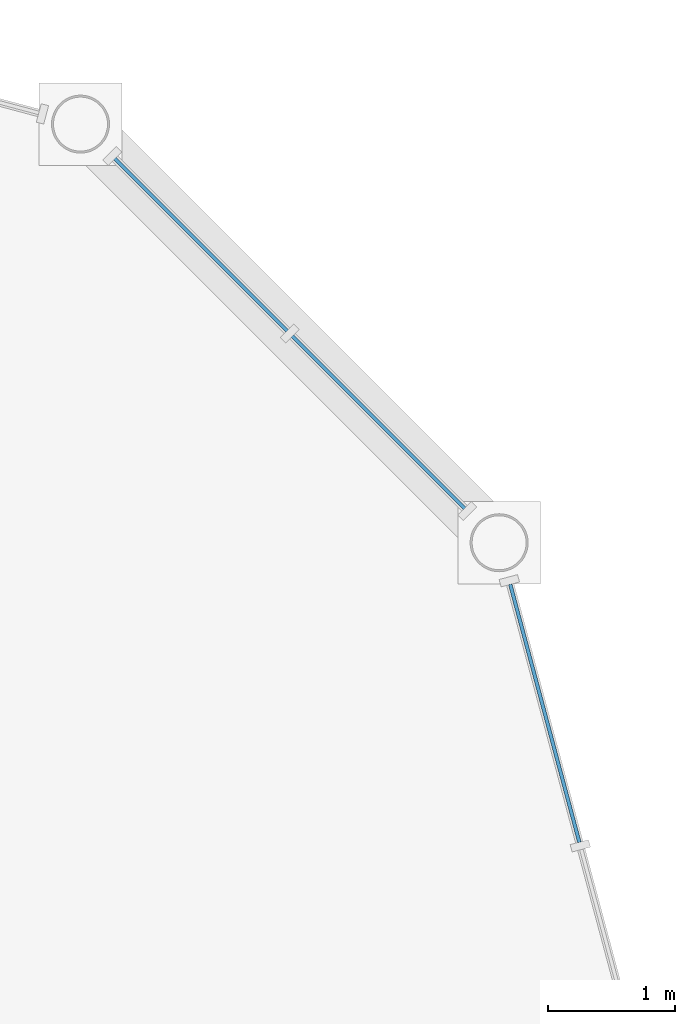
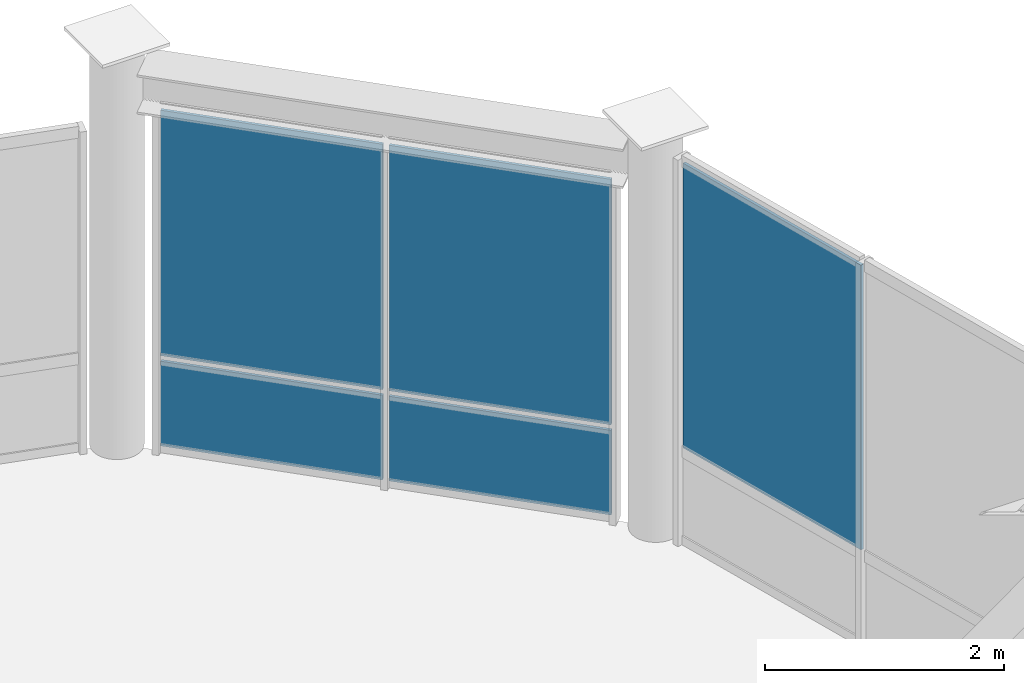
# One storey, part 67 of 105: 5 plates, 2 elements without a shape of their own.
"""IFC4 building model written with IfcOpenShell, lengths in metres."""

import ifcopenshell
import ifcopenshell.guid

model = None  # the IFC model being written
_history = None  # IfcOwnerHistory: only IFC2X3 demands one
_inside = {}  # id of a spatial element -> (the spatial element, [elements in it])
_under = {}  # id of a project, library or spatial element -> (it, [spatial elements below it])
_declared = {}  # id of a project -> (the project, [libraries it declares])
_typed = {}  # id of a type object -> (the type object, [elements of that type])
_made_of = {}  # id of a material, layer set ... -> (it, [elements and type objects made of it])


def new_model(schema):
    """Start an empty IFC model of exactly this schema.

    Asked for "IFC4X3", IfcOpenShell would pick the latest addendum, in which some entities
    have other attributes; the version numbers below select the first issue.
    IFC2X3 requires an IfcOwnerHistory on every rooted entity: one is made here for all.
    """
    global model, _history
    if schema == "IFC4X3":
        model = ifcopenshell.file(schema_version=(4, 3, 0, 0))
    else:
        model = ifcopenshell.file(schema=schema)
    _inside.clear()
    _under.clear()
    _declared.clear()
    _typed.clear()
    _made_of.clear()
    _history = None
    if model.schema == "IFC2X3":
        org = make("IfcOrganization", Name="unknown")
        user = make(
            "IfcPersonAndOrganization",
            ThePerson=make("IfcPerson", FamilyName="unknown"),
            TheOrganization=org,
        )
        app = make(
            "IfcApplication",
            ApplicationDeveloper=org,
            Version="unknown",
            ApplicationFullName="unknown",
            ApplicationIdentifier="unknown",
        )
        _history = make(
            "IfcOwnerHistory",
            OwningUser=user,
            OwningApplication=app,
            ChangeAction="ADDED",
            CreationDate=0,
        )
    return model


def make(cls, **values):
    """One entity of the class cls with the attributes given. An attribute that is None is left unset."""
    return model.create_entity(
        cls, **{name: value for name, value in values.items() if value is not None}
    )


def rooted(cls, **values):
    """An entity with a GlobalId (a new one), such as an element, a storey or a relation."""
    return make(cls, GlobalId=ifcopenshell.guid.new(), OwnerHistory=_history, **values)


def si_unit(unit_type, name, prefix=None):
    """IfcSIUnit, for example si_unit("LENGTHUNIT", "METRE", prefix="MILLI")."""
    return make("IfcSIUnit", UnitType=unit_type, Prefix=prefix, Name=name)


def assignment(units):
    """IfcUnitAssignment: the units of a project."""
    return None if units is None else make("IfcUnitAssignment", Units=units)


def point(xyz):
    """IfcCartesianPoint."""
    return None if xyz is None else make("IfcCartesianPoint", Coordinates=xyz)


def direction(xyz):
    """IfcDirection."""
    return None if xyz is None else make("IfcDirection", DirectionRatios=xyz)


def frame(location, z_axis=None, x_axis=None):
    """IfcAxis2Placement3D, a coordinate frame: its origin and axes. An axis left out is left unset."""
    return make(
        "IfcAxis2Placement3D",
        Location=point(location),
        Axis=direction(z_axis),
        RefDirection=direction(x_axis),
    )


def frame_2d(location, x_axis=None):
    """IfcAxis2Placement2D, a coordinate frame in the plane: its origin and x axis."""
    return make(
        "IfcAxis2Placement2D", Location=point(location), RefDirection=direction(x_axis)
    )


def origin():
    """The frame at (0, 0, 0) with its axes left unset."""
    return frame((0.0, 0.0, 0.0))


def origin_2d():
    """The frame at (0, 0) in the plane with its x axis left unset."""
    return frame_2d((0.0, 0.0))


def place(relative_to, where):
    """IfcLocalPlacement: puts the frame where relative to a parent placement (None: the world)."""
    return make(
        "IfcLocalPlacement", PlacementRelTo=relative_to, RelativePlacement=where
    )


def context(
    kind, dimensions, precision=None, world=None, true_north=None, identifier=None
):
    """IfcGeometricRepresentationContext, for example the 3D "Model" context."""
    return make(
        "IfcGeometricRepresentationContext",
        ContextIdentifier=identifier,
        ContextType=kind,
        CoordinateSpaceDimension=dimensions,
        Precision=precision,
        WorldCoordinateSystem=world,
        TrueNorth=true_north,
    )


def subcontext(parent, identifier, kind, view, scale=None):
    """IfcGeometricRepresentationSubContext, for example "Body" below "Model"."""
    return make(
        "IfcGeometricRepresentationSubContext",
        ContextIdentifier=identifier,
        ContextType=kind,
        ParentContext=parent,
        TargetScale=scale,
        TargetView=view,
    )


def project(units=None, contexts=None):
    """IfcProject with its units and contexts."""
    return rooted(
        "IfcProject",
        Name="project",
        RepresentationContexts=contexts,
        UnitsInContext=assignment(units),
    )


def spatial(cls, under=None, at=None, **own):
    """A site, building, storey or space (cls), placed at a placement, below another one or the project."""
    s = rooted(cls, ObjectPlacement=at, **own)
    if under is not None:
        _under.setdefault(under.id(), (under, []))[1].append(s)
    return s


def profile(cls, at=None, kind="AREA", **sizes):
    """A parametric profile (cls). Its sizes go by their IFC names, for example OverallWidth=200.0."""
    return make(cls, ProfileType=kind, Position=at, **sizes)


def rectangle(**sizes):
    """IfcRectangleProfileDef."""
    return profile("IfcRectangleProfileDef", **sizes)


def extrude(swept, where, along, depth):
    """IfcExtrudedAreaSolid: the profile swept, set in the frame where, extruded along a direction by depth."""
    return make(
        "IfcExtrudedAreaSolid",
        SweptArea=swept,
        Position=where,
        ExtrudedDirection=direction(along),
        Depth=depth,
    )


def shape(context_of_items, identifier, shape_type, items):
    """IfcShapeRepresentation: the items that make up one representation, for example the "Body"."""
    return make(
        "IfcShapeRepresentation",
        ContextOfItems=context_of_items,
        RepresentationIdentifier=identifier,
        RepresentationType=shape_type,
        Items=items,
    )


def material(Name=None, Category=None):
    """IfcMaterial."""
    return make("IfcMaterial", Name=Name, Category=Category)


def layer(
    of_material, thickness, ventilated=None, Name=None, Category=None, Priority=None
):
    """IfcMaterialLayer: one layer of a wall or slab, of a material (None: an air gap)."""
    return make(
        "IfcMaterialLayer",
        Material=of_material,
        LayerThickness=thickness,
        IsVentilated=ventilated,
        Name=Name,
        Category=Category,
        Priority=Priority,
    )


def layer_set(layers, Name=None):
    """IfcMaterialLayerSet."""
    return make("IfcMaterialLayerSet", MaterialLayers=layers, LayerSetName=Name)


def made_of(thing, what):
    """Note that an element or type object is made of a material, layer set ...; save() writes the relation."""
    if what is not None:
        _made_of.setdefault(what.id(), (what, []))[1].append(thing)
    return thing


def type_object(cls, material=None, **own):
    """A type object (cls), such as IfcWallType, which elements share."""
    return made_of(rooted(cls, **own), material)


def element(
    cls,
    number,
    at=None,
    inside=None,
    cuts=None,
    type_object=None,
    material=None,
    context=None,
    identifier="Body",
    shape_type=None,
    held_by="IfcProductDefinitionShape",
    body=None,
    shapes=None,
    **own,
):
    """One element of the class cls, such as IfcWall. Its Tag is "e" and its number.

    at: its placement. inside: the storey or other place that contains it. cuts: it is an
    opening in that element (IfcRelVoidsElement). A single representation is given by context,
    identifier, shape_type and body (its items); several are given by shapes. held_by: the class
    of the entity that holds the representations. save() writes the other relations.
    """
    e = rooted(cls, Tag="e%d" % number, ObjectPlacement=at, **own)
    if body is not None:
        shapes = [shape(context, identifier, shape_type, body)]
    if shapes is not None:
        e.Representation = make(held_by, Representations=shapes)
    if inside is not None:
        _inside.setdefault(inside.id(), (inside, []))[1].append(e)
    if cuts is not None:
        rooted(
            "IfcRelVoidsElement", RelatingBuildingElement=cuts, RelatedOpeningElement=e
        )
    if type_object is not None:
        _typed.setdefault(type_object.id(), (type_object, []))[1].append(e)
    return made_of(e, material)


def aggregate(whole, parts):
    """IfcRelAggregates: a whole, such as a stair, and the parts it consists of."""
    return rooted("IfcRelAggregates", RelatingObject=whole, RelatedObjects=parts)


def save(model, path):
    """Write the relations noted so far, then the file.

    IfcRelAggregates (storeys below a building ...), IfcRelContainedInSpatialStructure (elements
    in a storey), IfcRelDefinesByType, IfcRelAssociatesMaterial and IfcRelDeclares: one each for
    every whole, place, type object, material and project.
    """
    for whole, parts in _under.values():
        aggregate(whole, parts)
    for where, things in _inside.values():
        rooted(
            "IfcRelContainedInSpatialStructure",
            RelatedElements=things,
            RelatingStructure=where,
        )
    for kind, things in _typed.values():
        rooted("IfcRelDefinesByType", RelatedObjects=things, RelatingType=kind)
    for what, things in _made_of.values():
        rooted("IfcRelAssociatesMaterial", RelatedObjects=things, RelatingMaterial=what)
    for by, libraries in _declared.values():
        rooted("IfcRelDeclares", RelatingContext=by, RelatedDefinitions=libraries)
    model.write(path)


model = new_model("IFC4")

# Units and contexts
model_context = context("Model", 3, precision=1e-05, world=origin(), true_north=direction((0.0, 1.0)))
body_context = subcontext(model_context, "Body", "Model", "MODEL_VIEW")
ifc_project = project(units=[si_unit("LENGTHUNIT", "METRE"), si_unit("AREAUNIT", "SQUARE_METRE"), si_unit("VOLUMEUNIT", "CUBIC_METRE"), si_unit("PLANEANGLEUNIT", "RADIAN"), si_unit("MASSUNIT", "GRAM", prefix="KILO")], contexts=[model_context])

# Site, building, storey
site_placement = place(None, origin())
site = spatial("IfcSite", under=ifc_project, at=site_placement, CompositionType="ELEMENT")
building_placement = place(site_placement, origin())
building = spatial("IfcBuilding", under=site, at=building_placement, Name="Suzunagisa Mobility Hub", CompositionType="ELEMENT")
storey_placement = place(building_placement, frame((0.0, 0.0, 5.10009765625)))
storey = spatial("IfcBuildingStorey", under=building, at=storey_placement, Name="L01", CompositionType="ELEMENT", Elevation=5.10009765625)

# Curtain wall, plate
ifc_material_1 = material(Name="Thermally Broken Anodized Aluminum and Low-E Glazing", Category="aluminium")
curtain_wall_type_1 = type_object("IfcCurtainWallType", Name="Unitised Curtain Wall CW-48 4500x3900", PredefinedType="USERDEFINED", material=ifc_material_1)
curtain_wall_1_placement = place(storey_placement, origin())
curtain_wall_1 = element("IfcCurtainWall", 1, at=curtain_wall_1_placement, inside=storey, type_object=curtain_wall_type_1, Name="L01 Unitised Curtain Wall CW-188", ObjectType="UNITISED CURTAIN WALL", PredefinedType="USERDEFINED")
ifc_material_2 = material(Name="Low-E Solar-Control Double Glazing", Category="glass")
ifc_layer = layer(ifc_material_2, 0.028076171875)
ifc_layer_set = layer_set([ifc_layer], Name="Low-E Solar-Control Double Glazing")
plate_type = type_object("IfcPlateType", Name="Low-E Double Glazed Curtain Panel GP-01 28mm", PredefinedType="CURTAIN_PANEL", material=ifc_layer_set)
plate_1_placement = place(storey_placement, frame((179.15380859375, 102.15771484375, 0.97802734375), z_axis=(0.0, 0.0, 1.0), x_axis=(-0.258815230137, 0.965926848498, 0.0)))
plate_1 = element("IfcPlate", 2, at=plate_1_placement, type_object=plate_type, Name="Curtain Wall Glazing Panel 188-P2.2", PredefinedType="CURTAIN_PANEL", context=body_context, shape_type="SweptSolid", body=[
    extrude(rectangle(XDim=2.103515625, YDim=0.028076171875, at=origin_2d()), origin(), (0.0, 0.0, 1.0), 2.904052734375),
])
aggregate(curtain_wall_1, [plate_1])

# Curtain wall, plates
curtain_wall_type_2 = type_object("IfcCurtainWallType", Name="Unitised Curtain Wall CW-23 4000x3500", PredefinedType="USERDEFINED", material=ifc_material_1)
curtain_wall_2_placement = place(storey_placement, origin())
curtain_wall_2 = element("IfcCurtainWall", 3, at=curtain_wall_2_placement, inside=storey, type_object=curtain_wall_type_2, Name="L01 Unitised Curtain Wall CW-189", ObjectType="UNITISED CURTAIN WALL", PredefinedType="USERDEFINED")
plate_2_placement = place(storey_placement, frame((177.845703125, 104.448486328125, 0.05810546875), z_axis=(0.0, 0.0, 1.0), x_axis=(-0.707106781187, 0.707106781187, 0.0)))
plate_2 = element("IfcPlate", 4, at=plate_2_placement, type_object=plate_type, Name="Curtain Wall Glazing Panel 189-P1.1", PredefinedType="CURTAIN_PANEL", context=body_context, shape_type="SweptSolid", body=[
    extrude(rectangle(XDim=1.920166015625, YDim=0.028076171875, at=origin_2d()), origin(), (0.0, 0.0, 1.0), 0.864013671875),
])
plate_3_placement = place(storey_placement, frame((177.845703125, 104.448486328125, 0.97802734375), z_axis=(0.0, 0.0, 1.0), x_axis=(-0.707106781187, 0.707106781187, 0.0)))
plate_3 = element("IfcPlate", 5, at=plate_3_placement, type_object=plate_type, Name="Curtain Wall Glazing Panel 189-P1.2", PredefinedType="CURTAIN_PANEL", context=body_context, shape_type="SweptSolid", body=[
    extrude(rectangle(XDim=1.920166015625, YDim=0.028076171875, at=origin_2d()), origin(), (0.0, 0.0, 1.0), 2.50390625),
])
plate_4_placement = place(storey_placement, frame((176.448486328125, 105.845703125, 0.05810546875), z_axis=(0.0, 0.0, 1.0), x_axis=(-0.707106781187, 0.707106781187, 0.0)))
plate_4 = element("IfcPlate", 6, at=plate_4_placement, type_object=plate_type, Name="Curtain Wall Glazing Panel 189-P2.1", PredefinedType="CURTAIN_PANEL", context=body_context, shape_type="SweptSolid", body=[
    extrude(rectangle(XDim=1.919921875, YDim=0.028076171875, at=origin_2d()), origin(), (0.0, 0.0, 1.0), 0.864013671875),
])
plate_5_placement = place(storey_placement, frame((176.448486328125, 105.845703125, 0.97802734375), z_axis=(0.0, 0.0, 1.0), x_axis=(-0.707106781187, 0.707106781187, 0.0)))
plate_5 = element("IfcPlate", 7, at=plate_5_placement, type_object=plate_type, Name="Curtain Wall Glazing Panel 189-P2.2", PredefinedType="CURTAIN_PANEL", context=body_context, shape_type="SweptSolid", body=[
    extrude(rectangle(XDim=1.919921875, YDim=0.028076171875, at=origin_2d()), origin(), (0.0, 0.0, 1.0), 2.50390625),
])
aggregate(curtain_wall_2, [plate_2, plate_3, plate_4, plate_5])

save(model, "model.ifc")
